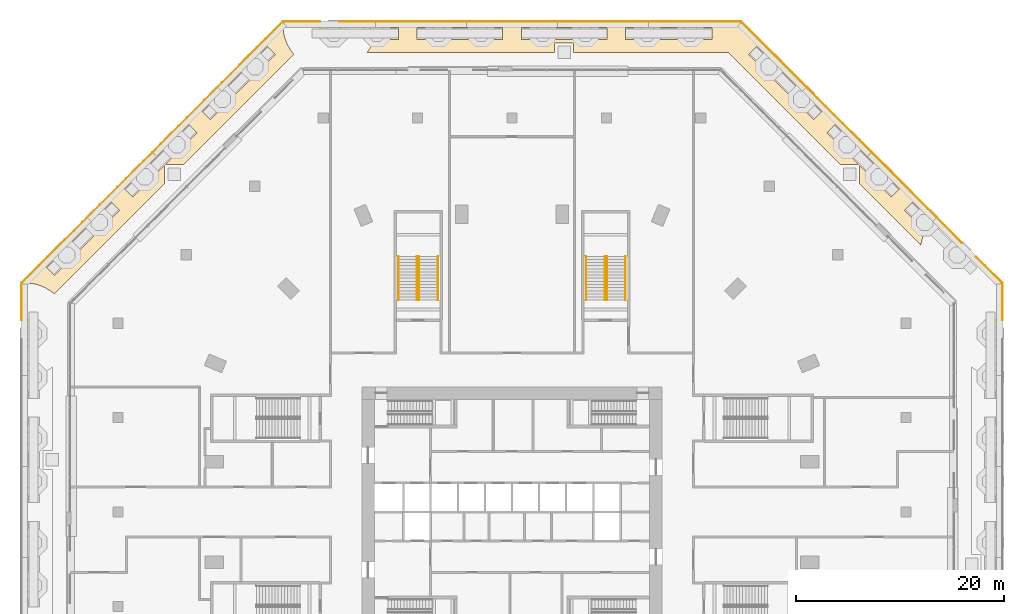
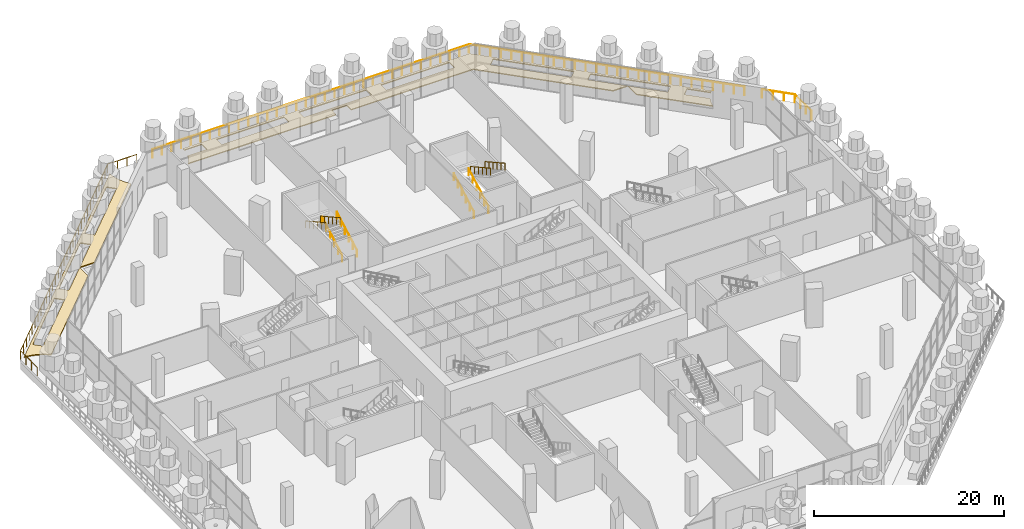
# One storey, part 31 of 32: 11 railings, 2 coverings.
"""IFC4 building model written with IfcOpenShell, lengths in metres."""

from ifc_helpers import new_model, si_unit, direction, frame, origin, origin_2d, place, context, subcontext, project, spatial, polyline, circle, outline, extrude, material, layer, layer_set, constituent, constituent_set, type_object, element, save


model = new_model("IFC4")

# Units and contexts
model_context = context("Model", 3, precision=1e-05, world=origin(), true_north=direction((0.0, 1.0)))
body_context = subcontext(model_context, "Body", "Model", "MODEL_VIEW")
ifc_project = project(units=[si_unit("LENGTHUNIT", "METRE"), si_unit("AREAUNIT", "SQUARE_METRE"), si_unit("VOLUMEUNIT", "CUBIC_METRE"), si_unit("PLANEANGLEUNIT", "RADIAN"), si_unit("MASSUNIT", "GRAM", prefix="KILO")], contexts=[model_context])

# Site, building, storey
site_placement = place(None, origin())
site = spatial("IfcSite", under=ifc_project, at=site_placement, CompositionType="ELEMENT")
building_placement = place(site_placement, origin())
building = spatial("IfcBuilding", under=site, at=building_placement, Name="Msitu Wima Residences", CompositionType="ELEMENT")
storey_placement = place(building_placement, frame((0.0, 0.0, 6.0)))
storey = spatial("IfcBuildingStorey", under=building, at=storey_placement, Name="L01", CompositionType="ELEMENT", Elevation=6.0)

# Railings
ifc_material_1 = material(Name="Steel S355", Category="steel")
ifc_constituent_1 = constituent(ifc_material_1, Name="Steel S355")
ifc_material_2 = material(Name="Black powder coating")
ifc_constituent_2 = constituent(ifc_material_2, Name="Black powder coating")
ifc_constituent_set_1 = constituent_set(constituents=[ifc_constituent_1, ifc_constituent_2], Name="Steel S355")
railing_type_1 = type_object("IfcRailingType", Name="Stair handrail HR1", PredefinedType="HANDRAIL", material=ifc_constituent_set_1)
for number, where, name in (
    (1, (-7.10009765625, 20.324951171875, 0.166748046875), "Podium exit stair 3 handrail"),
    (2, (-8.89990234375, 20.324951171875, 0.166748046875), "Podium exit stair 3 handrail"),
):
    element("IfcRailing", number, at=place(storey_placement, frame(where)), inside=storey, type_object=railing_type_1, Name=name, PredefinedType="HANDRAIL", context=body_context, shape_type="SweptSolid", body=[
        extrude(circle(Radius=0.02392578125, at=origin_2d()), frame((0.0, 0.0, 0.8759765625), z_axis=(0.0, 0.874162069901, 0.485634302275), x_axis=(-1.0, 0.0, 0.0)), (0.0, 0.0, 1.0), 4.804443359375),
        extrude(circle(Radius=0.02099609375, at=origin_2d()), origin(), (0.0, 0.0, 1.0), 0.851806640625),
        extrude(circle(Radius=0.02099609375, at=origin_2d()), frame((0.0, 0.840087890625, 0.466552734375)), (0.0, 0.0, 1.0), 0.851806640625),
        extrude(circle(Radius=0.02099609375, at=origin_2d()), frame((0.0, 1.679931640625, 0.933349609375)), (0.0, 0.0, 1.0), 0.851806640625),
        extrude(circle(Radius=0.02099609375, at=origin_2d()), frame((0.0, 2.52001953125, 1.39990234375)), (0.0, 0.0, 1.0), 0.851806640625),
        extrude(circle(Radius=0.02099609375, at=origin_2d()), frame((0.0, 3.35986328125, 1.86669921875)), (0.0, 0.0, 1.0), 0.851806640625),
        extrude(circle(Radius=0.02099609375, at=origin_2d()), frame((0.0, 4.199951171875, 2.333251953125)), (0.0, 0.0, 1.0), 0.851806640625),
    ])
for number, where, name in (
    (3, (-9.10009765625, 24.52490234375, 2.666748046875), "Podium exit stair 3 handrail"),
    (4, (-10.89990234375, 24.52490234375, 2.666748046875), "Podium exit stair 3 handrail"),
):
    element("IfcRailing", number, at=place(storey_placement, frame(where)), inside=storey, type_object=railing_type_1, Name=name, PredefinedType="HANDRAIL", context=body_context, shape_type="SweptSolid", body=[
        extrude(circle(Radius=0.02392578125, at=origin_2d()), frame((0.0, 0.0, 0.8759765625), z_axis=(0.0, -0.874162069901, 0.485634302275), x_axis=(1.0, 0.0, 0.0)), (0.0, 0.0, 1.0), 4.804443359375),
        extrude(circle(Radius=0.02099609375, at=origin_2d()), origin(), (0.0, 0.0, 1.0), 0.851806640625),
        extrude(circle(Radius=0.02099609375, at=origin_2d()), frame((0.0, -0.840087890625, 0.466552734375)), (0.0, 0.0, 1.0), 0.851806640625),
        extrude(circle(Radius=0.02099609375, at=origin_2d()), frame((0.0, -1.679931640625, 0.933349609375)), (0.0, 0.0, 1.0), 0.851806640625),
        extrude(circle(Radius=0.02099609375, at=origin_2d()), frame((0.0, -2.52001953125, 1.39990234375)), (0.0, 0.0, 1.0), 0.851806640625),
        extrude(circle(Radius=0.02099609375, at=origin_2d()), frame((0.0, -3.35986328125, 1.86669921875)), (0.0, 0.0, 1.0), 0.851806640625),
        extrude(circle(Radius=0.02099609375, at=origin_2d()), frame((0.0, -4.199951171875, 2.333251953125)), (0.0, 0.0, 1.0), 0.851806640625),
    ])
for number, where, name in (
    (5, (7.10009765625, 20.324951171875, 0.166748046875), "Podium exit stair 4 handrail"),
    (6, (8.89990234375, 20.324951171875, 0.166748046875), "Podium exit stair 4 handrail"),
):
    element("IfcRailing", number, at=place(storey_placement, frame(where)), inside=storey, type_object=railing_type_1, Name=name, PredefinedType="HANDRAIL", context=body_context, shape_type="SweptSolid", body=[
        extrude(circle(Radius=0.02392578125, at=origin_2d()), frame((0.0, 0.0, 0.8759765625), z_axis=(0.0, 0.874162069901, 0.485634302275), x_axis=(-1.0, 0.0, 0.0)), (0.0, 0.0, 1.0), 4.804443359375),
        extrude(circle(Radius=0.02099609375, at=origin_2d()), origin(), (0.0, 0.0, 1.0), 0.851806640625),
        extrude(circle(Radius=0.02099609375, at=origin_2d()), frame((0.0, 0.840087890625, 0.466552734375)), (0.0, 0.0, 1.0), 0.851806640625),
        extrude(circle(Radius=0.02099609375, at=origin_2d()), frame((0.0, 1.679931640625, 0.933349609375)), (0.0, 0.0, 1.0), 0.851806640625),
        extrude(circle(Radius=0.02099609375, at=origin_2d()), frame((0.0, 2.52001953125, 1.39990234375)), (0.0, 0.0, 1.0), 0.851806640625),
        extrude(circle(Radius=0.02099609375, at=origin_2d()), frame((0.0, 3.35986328125, 1.86669921875)), (0.0, 0.0, 1.0), 0.851806640625),
        extrude(circle(Radius=0.02099609375, at=origin_2d()), frame((0.0, 4.199951171875, 2.333251953125)), (0.0, 0.0, 1.0), 0.851806640625),
    ])
for number, where, name in (
    (7, (9.10009765625, 24.52490234375, 2.666748046875), "Podium exit stair 4 handrail"),
    (8, (10.89990234375, 24.52490234375, 2.666748046875), "Podium exit stair 4 handrail"),
):
    element("IfcRailing", number, at=place(storey_placement, frame(where)), inside=storey, type_object=railing_type_1, Name=name, PredefinedType="HANDRAIL", context=body_context, shape_type="SweptSolid", body=[
        extrude(circle(Radius=0.02392578125, at=origin_2d()), frame((0.0, 0.0, 0.8759765625), z_axis=(0.0, -0.874162069901, 0.485634302275), x_axis=(1.0, 0.0, 0.0)), (0.0, 0.0, 1.0), 4.804443359375),
        extrude(circle(Radius=0.02099609375, at=origin_2d()), origin(), (0.0, 0.0, 1.0), 0.851806640625),
        extrude(circle(Radius=0.02099609375, at=origin_2d()), frame((0.0, -0.840087890625, 0.466552734375)), (0.0, 0.0, 1.0), 0.851806640625),
        extrude(circle(Radius=0.02099609375, at=origin_2d()), frame((0.0, -1.679931640625, 0.933349609375)), (0.0, 0.0, 1.0), 0.851806640625),
        extrude(circle(Radius=0.02099609375, at=origin_2d()), frame((0.0, -2.52001953125, 1.39990234375)), (0.0, 0.0, 1.0), 0.851806640625),
        extrude(circle(Radius=0.02099609375, at=origin_2d()), frame((0.0, -3.35986328125, 1.86669921875)), (0.0, 0.0, 1.0), 0.851806640625),
        extrude(circle(Radius=0.02099609375, at=origin_2d()), frame((0.0, -4.199951171875, 2.333251953125)), (0.0, 0.0, 1.0), 0.851806640625),
    ])
ifc_constituent_3 = constituent(ifc_material_1, Name="Steel S355")
ifc_material_3 = material(Name="Weathering patina")
ifc_constituent_4 = constituent(ifc_material_3, Name="Weathering patina")
ifc_constituent_set_2 = constituent_set(constituents=[ifc_constituent_3, ifc_constituent_4], Name="Steel S355")
railing_type_2 = type_object("IfcRailingType", Name="Terrace guard GR1100", PredefinedType="GUARDRAIL", material=ifc_constituent_set_2)
railing_1_placement = place(storey_placement, frame((-47.050048828125, 18.4345703125, 0.0)))
element("IfcRailing", 9, at=railing_1_placement, inside=storey, type_object=railing_type_2, Name="Terrace guard L00 roof 3", PredefinedType="GUARDRAIL", context=body_context, shape_type="SweptSolid", body=[
    extrude(circle(Radius=0.02392578125, at=origin_2d()), frame((0.0, 0.0, 1.076171875), z_axis=(0.0, 1.0, 0.0), x_axis=(-1.0, 0.0, 0.0)), (0.0, 0.0, 1.0), 3.52490234375),
    extrude(circle(Radius=0.02392578125, at=origin_2d()), frame((0.0, 3.52490234375, 1.076171875), z_axis=(0.707106781187, 0.707106781187, 0.0), x_axis=(-0.707106781187, 0.707106781187, 0.0)), (0.0, 0.0, 1.0), 35.4833984375),
    extrude(circle(Radius=0.02392578125, at=origin_2d()), frame((25.090576171875, 28.615478515625, 1.076171875), z_axis=(1.0, 0.0, 0.0), x_axis=(0.0, 1.0, 0.0)), (0.0, 0.0, 1.0), 3.52490234375),
    extrude(circle(Radius=0.02099609375, at=origin_2d()), origin(), (0.0, 0.0, 1.0), 1.052001953125),
    extrude(circle(Radius=0.02099609375, at=origin_2d()), frame((0.0, 1.175048828125, 0.0)), (0.0, 0.0, 1.0), 1.052001953125),
    extrude(circle(Radius=0.02099609375, at=origin_2d()), frame((0.0, 2.349853515625, 0.0)), (0.0, 0.0, 1.0), 1.052001953125),
    extrude(circle(Radius=0.02099609375, at=origin_2d()), frame((0.0, 3.52490234375, 0.0)), (0.0, 0.0, 1.0), 1.052001953125),
    extrude(circle(Radius=0.02099609375, at=origin_2d()), frame((0.83642578125, 4.361328125, 0.0)), (0.0, 0.0, 1.0), 1.052001953125),
    extrude(circle(Radius=0.02099609375, at=origin_2d()), frame((1.672607421875, 5.197509765625, 0.0)), (0.0, 0.0, 1.0), 1.052001953125),
    extrude(circle(Radius=0.02099609375, at=origin_2d()), frame((2.509033203125, 6.033935546875, 0.0)), (0.0, 0.0, 1.0), 1.052001953125),
    extrude(circle(Radius=0.02099609375, at=origin_2d()), frame((3.345458984375, 6.870361328125, 0.0)), (0.0, 0.0, 1.0), 1.052001953125),
    extrude(circle(Radius=0.02099609375, at=origin_2d()), frame((4.181640625, 7.70654296875, 0.0)), (0.0, 0.0, 1.0), 1.052001953125),
    extrude(circle(Radius=0.02099609375, at=origin_2d()), frame((5.01806640625, 8.54296875, 0.0)), (0.0, 0.0, 1.0), 1.052001953125),
    extrude(circle(Radius=0.02099609375, at=origin_2d()), frame((5.8544921875, 9.37939453125, 0.0)), (0.0, 0.0, 1.0), 1.052001953125),
    extrude(circle(Radius=0.02099609375, at=origin_2d()), frame((6.69091796875, 10.2158203125, 0.0)), (0.0, 0.0, 1.0), 1.052001953125),
    extrude(circle(Radius=0.02099609375, at=origin_2d()), frame((7.527099609375, 11.052001953125, 0.0)), (0.0, 0.0, 1.0), 1.052001953125),
    extrude(circle(Radius=0.02099609375, at=origin_2d()), frame((8.363525390625, 11.888427734375, 0.0)), (0.0, 0.0, 1.0), 1.052001953125),
    extrude(circle(Radius=0.02099609375, at=origin_2d()), frame((9.199951171875, 12.724853515625, 0.0)), (0.0, 0.0, 1.0), 1.052001953125),
    extrude(circle(Radius=0.02099609375, at=origin_2d()), frame((10.0361328125, 13.56103515625, 0.0)), (0.0, 0.0, 1.0), 1.052001953125),
    extrude(circle(Radius=0.02099609375, at=origin_2d()), frame((10.87255859375, 14.3974609375, 0.0)), (0.0, 0.0, 1.0), 1.052001953125),
    extrude(circle(Radius=0.02099609375, at=origin_2d()), frame((11.708984375, 15.23388671875, 0.0)), (0.0, 0.0, 1.0), 1.052001953125),
    extrude(circle(Radius=0.02099609375, at=origin_2d()), frame((12.54541015625, 16.0703125, 0.0)), (0.0, 0.0, 1.0), 1.052001953125),
    extrude(circle(Radius=0.02099609375, at=origin_2d()), frame((13.381591796875, 16.906494140625, 0.0)), (0.0, 0.0, 1.0), 1.052001953125),
    extrude(circle(Radius=0.02099609375, at=origin_2d()), frame((14.218017578125, 17.742919921875, 0.0)), (0.0, 0.0, 1.0), 1.052001953125),
    extrude(circle(Radius=0.02099609375, at=origin_2d()), frame((15.054443359375, 18.579345703125, 0.0)), (0.0, 0.0, 1.0), 1.052001953125),
    extrude(circle(Radius=0.02099609375, at=origin_2d()), frame((15.890625, 19.41552734375, 0.0)), (0.0, 0.0, 1.0), 1.052001953125),
    extrude(circle(Radius=0.02099609375, at=origin_2d()), frame((16.72705078125, 20.251953125, 0.0)), (0.0, 0.0, 1.0), 1.052001953125),
    extrude(circle(Radius=0.02099609375, at=origin_2d()), frame((17.5634765625, 21.08837890625, 0.0)), (0.0, 0.0, 1.0), 1.052001953125),
    extrude(circle(Radius=0.02099609375, at=origin_2d()), frame((18.399658203125, 21.924560546875, 0.0)), (0.0, 0.0, 1.0), 1.052001953125),
    extrude(circle(Radius=0.02099609375, at=origin_2d()), frame((19.236083984375, 22.760986328125, 0.0)), (0.0, 0.0, 1.0), 1.052001953125),
    extrude(circle(Radius=0.02099609375, at=origin_2d()), frame((20.072509765625, 23.597412109375, 0.0)), (0.0, 0.0, 1.0), 1.052001953125),
    extrude(circle(Radius=0.02099609375, at=origin_2d()), frame((20.90869140625, 24.43359375, 0.0)), (0.0, 0.0, 1.0), 1.052001953125),
    extrude(circle(Radius=0.02099609375, at=origin_2d()), frame((21.7451171875, 25.27001953125, 0.0)), (0.0, 0.0, 1.0), 1.052001953125),
    extrude(circle(Radius=0.02099609375, at=origin_2d()), frame((22.58154296875, 26.1064453125, 0.0)), (0.0, 0.0, 1.0), 1.052001953125),
    extrude(circle(Radius=0.02099609375, at=origin_2d()), frame((23.41796875, 26.94287109375, 0.0)), (0.0, 0.0, 1.0), 1.052001953125),
    extrude(circle(Radius=0.02099609375, at=origin_2d()), frame((24.254150390625, 27.779052734375, 0.0)), (0.0, 0.0, 1.0), 1.052001953125),
    extrude(circle(Radius=0.02099609375, at=origin_2d()), frame((25.090576171875, 28.615478515625, 0.0)), (0.0, 0.0, 1.0), 1.052001953125),
    extrude(circle(Radius=0.02099609375, at=origin_2d()), frame((26.265625, 28.615478515625, 0.0)), (0.0, 0.0, 1.0), 1.052001953125),
    extrude(circle(Radius=0.02099609375, at=origin_2d()), frame((27.4404296875, 28.615478515625, 0.0)), (0.0, 0.0, 1.0), 1.052001953125),
    extrude(circle(Radius=0.02099609375, at=origin_2d()), frame((28.615478515625, 28.615478515625, 0.0)), (0.0, 0.0, 1.0), 1.052001953125),
])
railing_2_placement = place(storey_placement, frame((-16.53466796875, 47.050048828125, 0.0)))
element("IfcRailing", 10, at=railing_2_placement, inside=storey, type_object=railing_type_2, Name="Terrace guard L00 roof 4", PredefinedType="GUARDRAIL", context=body_context, shape_type="SweptSolid", body=[
    extrude(circle(Radius=0.02392578125, at=origin_2d()), frame((0.0, 0.0, 1.076171875), z_axis=(1.0, 0.0, 0.0), x_axis=(0.0, 1.0, 0.0)), (0.0, 0.0, 1.0), 38.494140625),
    extrude(circle(Radius=0.02392578125, at=origin_2d()), frame((38.494140625, 0.0, 1.076171875), z_axis=(0.707106781187, -0.707106781187, 0.0), x_axis=(0.707106781187, 0.707106781187, 0.0)), (0.0, 0.0, 1.0), 30.020263671875),
    extrude(circle(Radius=0.02099609375, at=origin_2d()), origin(), (0.0, 0.0, 1.0), 1.052001953125),
    extrude(circle(Radius=0.02099609375, at=origin_2d()), frame((1.16650390625, 0.0, 0.0)), (0.0, 0.0, 1.0), 1.052001953125),
    extrude(circle(Radius=0.02099609375, at=origin_2d()), frame((2.3330078125, 0.0, 0.0)), (0.0, 0.0, 1.0), 1.052001953125),
    extrude(circle(Radius=0.02099609375, at=origin_2d()), frame((3.49951171875, 0.0, 0.0)), (0.0, 0.0, 1.0), 1.052001953125),
    extrude(circle(Radius=0.02099609375, at=origin_2d()), frame((4.666015625, 0.0, 0.0)), (0.0, 0.0, 1.0), 1.052001953125),
    extrude(circle(Radius=0.02099609375, at=origin_2d()), frame((5.83251953125, 0.0, 0.0)), (0.0, 0.0, 1.0), 1.052001953125),
    extrude(circle(Radius=0.02099609375, at=origin_2d()), frame((6.9990234375, 0.0, 0.0)), (0.0, 0.0, 1.0), 1.052001953125),
    extrude(circle(Radius=0.02099609375, at=origin_2d()), frame((8.16552734375, 0.0, 0.0)), (0.0, 0.0, 1.0), 1.052001953125),
    extrude(circle(Radius=0.02099609375, at=origin_2d()), frame((9.33203125, 0.0, 0.0)), (0.0, 0.0, 1.0), 1.052001953125),
    extrude(circle(Radius=0.02099609375, at=origin_2d()), frame((10.498291015625, 0.0, 0.0)), (0.0, 0.0, 1.0), 1.052001953125),
    extrude(circle(Radius=0.02099609375, at=origin_2d()), frame((11.664794921875, 0.0, 0.0)), (0.0, 0.0, 1.0), 1.052001953125),
    extrude(circle(Radius=0.02099609375, at=origin_2d()), frame((12.831298828125, 0.0, 0.0)), (0.0, 0.0, 1.0), 1.052001953125),
    extrude(circle(Radius=0.02099609375, at=origin_2d()), frame((13.997802734375, 0.0, 0.0)), (0.0, 0.0, 1.0), 1.052001953125),
    extrude(circle(Radius=0.02099609375, at=origin_2d()), frame((15.164306640625, 0.0, 0.0)), (0.0, 0.0, 1.0), 1.052001953125),
    extrude(circle(Radius=0.02099609375, at=origin_2d()), frame((16.330810546875, 0.0, 0.0)), (0.0, 0.0, 1.0), 1.052001953125),
    extrude(circle(Radius=0.02099609375, at=origin_2d()), frame((17.497314453125, 0.0, 0.0)), (0.0, 0.0, 1.0), 1.052001953125),
    extrude(circle(Radius=0.02099609375, at=origin_2d()), frame((18.663818359375, 0.0, 0.0)), (0.0, 0.0, 1.0), 1.052001953125),
    extrude(circle(Radius=0.02099609375, at=origin_2d()), frame((19.830322265625, 0.0, 0.0)), (0.0, 0.0, 1.0), 1.052001953125),
    extrude(circle(Radius=0.02099609375, at=origin_2d()), frame((20.996826171875, 0.0, 0.0)), (0.0, 0.0, 1.0), 1.052001953125),
    extrude(circle(Radius=0.02099609375, at=origin_2d()), frame((22.163330078125, 0.0, 0.0)), (0.0, 0.0, 1.0), 1.052001953125),
    extrude(circle(Radius=0.02099609375, at=origin_2d()), frame((23.329833984375, 0.0, 0.0)), (0.0, 0.0, 1.0), 1.052001953125),
    extrude(circle(Radius=0.02099609375, at=origin_2d()), frame((24.496337890625, 0.0, 0.0)), (0.0, 0.0, 1.0), 1.052001953125),
    extrude(circle(Radius=0.02099609375, at=origin_2d()), frame((25.662841796875, 0.0, 0.0)), (0.0, 0.0, 1.0), 1.052001953125),
    extrude(circle(Radius=0.02099609375, at=origin_2d()), frame((26.829345703125, 0.0, 0.0)), (0.0, 0.0, 1.0), 1.052001953125),
    extrude(circle(Radius=0.02099609375, at=origin_2d()), frame((27.995849609375, 0.0, 0.0)), (0.0, 0.0, 1.0), 1.052001953125),
    extrude(circle(Radius=0.02099609375, at=origin_2d()), frame((29.162109375, 0.0, 0.0)), (0.0, 0.0, 1.0), 1.052001953125),
    extrude(circle(Radius=0.02099609375, at=origin_2d()), frame((30.32861328125, 0.0, 0.0)), (0.0, 0.0, 1.0), 1.052001953125),
    extrude(circle(Radius=0.02099609375, at=origin_2d()), frame((31.4951171875, 0.0, 0.0)), (0.0, 0.0, 1.0), 1.052001953125),
    extrude(circle(Radius=0.02099609375, at=origin_2d()), frame((32.66162109375, 0.0, 0.0)), (0.0, 0.0, 1.0), 1.052001953125),
    extrude(circle(Radius=0.02099609375, at=origin_2d()), frame((33.828125, 0.0, 0.0)), (0.0, 0.0, 1.0), 1.052001953125),
    extrude(circle(Radius=0.02099609375, at=origin_2d()), frame((34.99462890625, 0.0, 0.0)), (0.0, 0.0, 1.0), 1.052001953125),
    extrude(circle(Radius=0.02099609375, at=origin_2d()), frame((36.1611328125, 0.0, 0.0)), (0.0, 0.0, 1.0), 1.052001953125),
    extrude(circle(Radius=0.02099609375, at=origin_2d()), frame((37.32763671875, 0.0, 0.0)), (0.0, 0.0, 1.0), 1.052001953125),
    extrude(circle(Radius=0.02099609375, at=origin_2d()), frame((38.494140625, 0.0, 0.0)), (0.0, 0.0, 1.0), 1.052001953125),
    extrude(circle(Radius=0.02099609375, at=origin_2d()), frame((39.310546875, -0.81640625, 0.0)), (0.0, 0.0, 1.0), 1.052001953125),
    extrude(circle(Radius=0.02099609375, at=origin_2d()), frame((40.126953125, -1.6328125, 0.0)), (0.0, 0.0, 1.0), 1.052001953125),
    extrude(circle(Radius=0.02099609375, at=origin_2d()), frame((40.943359375, -2.44921875, 0.0)), (0.0, 0.0, 1.0), 1.052001953125),
    extrude(circle(Radius=0.02099609375, at=origin_2d()), frame((41.760009765625, -3.265869140625, 0.0)), (0.0, 0.0, 1.0), 1.052001953125),
    extrude(circle(Radius=0.02099609375, at=origin_2d()), frame((42.576416015625, -4.082275390625, 0.0)), (0.0, 0.0, 1.0), 1.052001953125),
    extrude(circle(Radius=0.02099609375, at=origin_2d()), frame((43.392822265625, -4.898681640625, 0.0)), (0.0, 0.0, 1.0), 1.052001953125),
    extrude(circle(Radius=0.02099609375, at=origin_2d()), frame((44.209228515625, -5.715087890625, 0.0)), (0.0, 0.0, 1.0), 1.052001953125),
    extrude(circle(Radius=0.02099609375, at=origin_2d()), frame((45.025634765625, -6.531494140625, 0.0)), (0.0, 0.0, 1.0), 1.052001953125),
    extrude(circle(Radius=0.02099609375, at=origin_2d()), frame((45.842041015625, -7.347900390625, 0.0)), (0.0, 0.0, 1.0), 1.052001953125),
    extrude(circle(Radius=0.02099609375, at=origin_2d()), frame((46.65869140625, -8.16455078125, 0.0)), (0.0, 0.0, 1.0), 1.052001953125),
    extrude(circle(Radius=0.02099609375, at=origin_2d()), frame((47.47509765625, -8.98095703125, 0.0)), (0.0, 0.0, 1.0), 1.052001953125),
    extrude(circle(Radius=0.02099609375, at=origin_2d()), frame((48.29150390625, -9.79736328125, 0.0)), (0.0, 0.0, 1.0), 1.052001953125),
    extrude(circle(Radius=0.02099609375, at=origin_2d()), frame((49.10791015625, -10.61376953125, 0.0)), (0.0, 0.0, 1.0), 1.052001953125),
    extrude(circle(Radius=0.02099609375, at=origin_2d()), frame((49.92431640625, -11.43017578125, 0.0)), (0.0, 0.0, 1.0), 1.052001953125),
    extrude(circle(Radius=0.02099609375, at=origin_2d()), frame((50.74072265625, -12.24658203125, 0.0)), (0.0, 0.0, 1.0), 1.052001953125),
    extrude(circle(Radius=0.02099609375, at=origin_2d()), frame((51.55712890625, -13.06298828125, 0.0)), (0.0, 0.0, 1.0), 1.052001953125),
    extrude(circle(Radius=0.02099609375, at=origin_2d()), frame((52.373779296875, -13.879638671875, 0.0)), (0.0, 0.0, 1.0), 1.052001953125),
    extrude(circle(Radius=0.02099609375, at=origin_2d()), frame((53.190185546875, -14.696044921875, 0.0)), (0.0, 0.0, 1.0), 1.052001953125),
    extrude(circle(Radius=0.02099609375, at=origin_2d()), frame((54.006591796875, -15.512451171875, 0.0)), (0.0, 0.0, 1.0), 1.052001953125),
    extrude(circle(Radius=0.02099609375, at=origin_2d()), frame((54.822998046875, -16.328857421875, 0.0)), (0.0, 0.0, 1.0), 1.052001953125),
    extrude(circle(Radius=0.02099609375, at=origin_2d()), frame((55.639404296875, -17.145263671875, 0.0)), (0.0, 0.0, 1.0), 1.052001953125),
    extrude(circle(Radius=0.02099609375, at=origin_2d()), frame((56.455810546875, -17.961669921875, 0.0)), (0.0, 0.0, 1.0), 1.052001953125),
    extrude(circle(Radius=0.02099609375, at=origin_2d()), frame((57.2724609375, -18.7783203125, 0.0)), (0.0, 0.0, 1.0), 1.052001953125),
    extrude(circle(Radius=0.02099609375, at=origin_2d()), frame((58.0888671875, -19.5947265625, 0.0)), (0.0, 0.0, 1.0), 1.052001953125),
    extrude(circle(Radius=0.02099609375, at=origin_2d()), frame((58.9052734375, -20.4111328125, 0.0)), (0.0, 0.0, 1.0), 1.052001953125),
    extrude(circle(Radius=0.02099609375, at=origin_2d()), frame((59.7216796875, -21.2275390625, 0.0)), (0.0, 0.0, 1.0), 1.052001953125),
])
railing_3_placement = place(storey_placement, frame((44.530517578125, 24.47900390625, 0.0)))
element("IfcRailing", 11, at=railing_3_placement, inside=storey, type_object=railing_type_2, Name="Terrace guard L00 roof 5", PredefinedType="GUARDRAIL", context=body_context, shape_type="SweptSolid", body=[
    extrude(circle(Radius=0.02392578125, at=origin_2d()), frame((0.0, 0.0, 1.076171875), z_axis=(0.707106781187, -0.707106781187, 0.0), x_axis=(0.707106781187, 0.707106781187, 0.0)), (0.0, 0.0, 1.0), 3.563232421875),
    extrude(circle(Radius=0.02392578125, at=origin_2d()), frame((2.51953125, -2.51953125, 1.076171875), z_axis=(0.0, -1.0, 0.0), x_axis=(1.0, 0.0, 0.0)), (0.0, 0.0, 1.0), 3.52490234375),
    extrude(circle(Radius=0.02099609375, at=origin_2d()), origin(), (0.0, 0.0, 1.0), 1.052001953125),
    extrude(circle(Radius=0.02099609375, at=origin_2d()), frame((0.83984375, -0.83984375, 0.0)), (0.0, 0.0, 1.0), 1.052001953125),
    extrude(circle(Radius=0.02099609375, at=origin_2d()), frame((1.6796875, -1.6796875, 0.0)), (0.0, 0.0, 1.0), 1.052001953125),
    extrude(circle(Radius=0.02099609375, at=origin_2d()), frame((2.51953125, -2.51953125, 0.0)), (0.0, 0.0, 1.0), 1.052001953125),
    extrude(circle(Radius=0.02099609375, at=origin_2d()), frame((2.51953125, -3.694580078125, 0.0)), (0.0, 0.0, 1.0), 1.052001953125),
    extrude(circle(Radius=0.02099609375, at=origin_2d()), frame((2.51953125, -4.869384765625, 0.0)), (0.0, 0.0, 1.0), 1.052001953125),
    extrude(circle(Radius=0.02099609375, at=origin_2d()), frame((2.51953125, -6.04443359375, 0.0)), (0.0, 0.0, 1.0), 1.052001953125),
])

# Coverings
ifc_material_4 = material(Name="Lawn and planting")
ifc_layer = layer(ifc_material_4, 0.1201171875)
ifc_layer_set = layer_set([ifc_layer], Name="Lawn and planting")
covering_type = type_object("IfcCoveringType", Name="Terrace planting PL120", PredefinedType="USERDEFINED", material=ifc_layer_set)
covering_1_placement = place(storey_placement, origin())
element("IfcCovering", 12, at=covering_1_placement, inside=storey, type_object=covering_type, Name="Terrace planting L01 3", ObjectType="PLANTING", PredefinedType="USERDEFINED", context=body_context, shape_type="SweptSolid", body=[
    extrude(outline(polyline([(-21.975341796875, 46.60986328125), (-21.962890625, 46.35888671875), (-21.898193359375, 45.922119140625), (-21.791015625, 45.49365234375), (-21.64208984375, 45.077880859375), (-21.453369140625, 44.6787109375), (-21.226318359375, 44.300048828125), (-20.963134765625, 43.9453125), (-20.929443359375, 43.907958984375), (-31.518798828125, 33.31884765625), (-31.518798828125, 33.31884765625), (-33.28662109375, 33.31884765625), (-30.220947265625, 36.38427734375), (-30.998779296875, 37.162109375), (-37.162109375, 30.998779296875), (-36.38427734375, 30.220947265625), (-33.31884765625, 33.28662109375), (-33.31884765625, 31.518798828125), (-33.31884765625, 31.518798828125), (-43.907958984375, 20.929443359375), (-43.9453125, 20.963134765625), (-44.300048828125, 21.226318359375), (-44.6787109375, 21.453369140625), (-45.077880859375, 21.64208984375), (-45.49365234375, 21.791015625), (-45.922119140625, 21.898193359375), (-46.35888671875, 21.962890625), (-46.60986328125, 21.975341796875), (-21.975341796875, 46.60986328125)]), holes=[polyline([(-43.88623046875, 22.718994140625), (-37.656982421875, 28.9482421875), (-38.434814453125, 29.72607421875), (-44.6640625, 23.496826171875), (-43.88623046875, 22.718994140625)]), polyline([(-29.72607421875, 38.434814453125), (-28.9482421875, 37.656982421875), (-22.718994140625, 43.88623046875), (-23.496826171875, 44.6640625), (-29.72607421875, 38.434814453125)])]), origin(), (0.0, 0.0, 1.0), 0.1201171875),
])
covering_2_placement = place(storey_placement, origin())
element("IfcCovering", 13, at=covering_2_placement, inside=storey, type_object=covering_type, Name="Terrace planting L01 5", ObjectType="PLANTING", PredefinedType="USERDEFINED", context=body_context, shape_type="SweptSolid", body=[
    extrude(outline(polyline([(21.835205078125, 46.75), (40.46630859375, 28.11865234375), (40.2646484375, 27.896240234375), (38.434814453125, 29.72607421875), (37.656982421875, 28.9482421875), (39.648193359375, 26.957275390625), (39.5244140625, 26.696044921875), (39.375732421875, 26.280029296875), (39.2685546875, 25.851806640625), (39.23193359375, 25.60546875), (33.31884765625, 31.518798828125), (33.31884765625, 31.518798828125), (33.31884765625, 33.28662109375), (36.38427734375, 30.220947265625), (37.162109375, 30.998779296875), (30.998779296875, 37.162109375), (30.220947265625, 36.38427734375), (33.28662109375, 33.31884765625), (31.518798828125, 33.31884765625), (31.518798828125, 33.31884765625), (20.737548828125, 44.10009765625), (5.89794921875, 44.10009765625), (5.89794921875, 45.0), (4.097900390625, 45.0), (4.097900390625, 44.10009765625), (-13.891357421875, 44.10009765625), (-13.7431640625, 44.300048828125), (-13.51611328125, 44.6787109375), (-13.3271484375, 45.077880859375), (-13.22998046875, 45.35009765625), (-10.89599609375, 45.35009765625), (-10.89599609375, 46.449951171875), (-13.001953125, 46.449951171875), (-12.987060546875, 46.75), (21.835205078125, 46.75)]), holes=[polyline([(22.718994140625, 43.88623046875), (28.9482421875, 37.656982421875), (29.72607421875, 38.434814453125), (23.496826171875, 44.6640625), (22.718994140625, 43.88623046875)]), polyline([(-9.095947265625, 46.449951171875), (-9.095947265625, 45.35009765625), (-0.89990234375, 45.35009765625), (-0.89990234375, 46.449951171875), (-9.095947265625, 46.449951171875)]), polyline([(0.89990234375, 45.35009765625), (9.095947265625, 45.35009765625), (9.095947265625, 46.449951171875), (0.89990234375, 46.449951171875), (0.89990234375, 45.35009765625)]), polyline([(10.89599609375, 46.449951171875), (10.89599609375, 45.35009765625), (19.18505859375, 45.35009765625), (19.18505859375, 46.449951171875), (10.89599609375, 46.449951171875)])]), origin(), (0.0, 0.0, 1.0), 0.1201171875),
])

save(model, "model.ifc")
